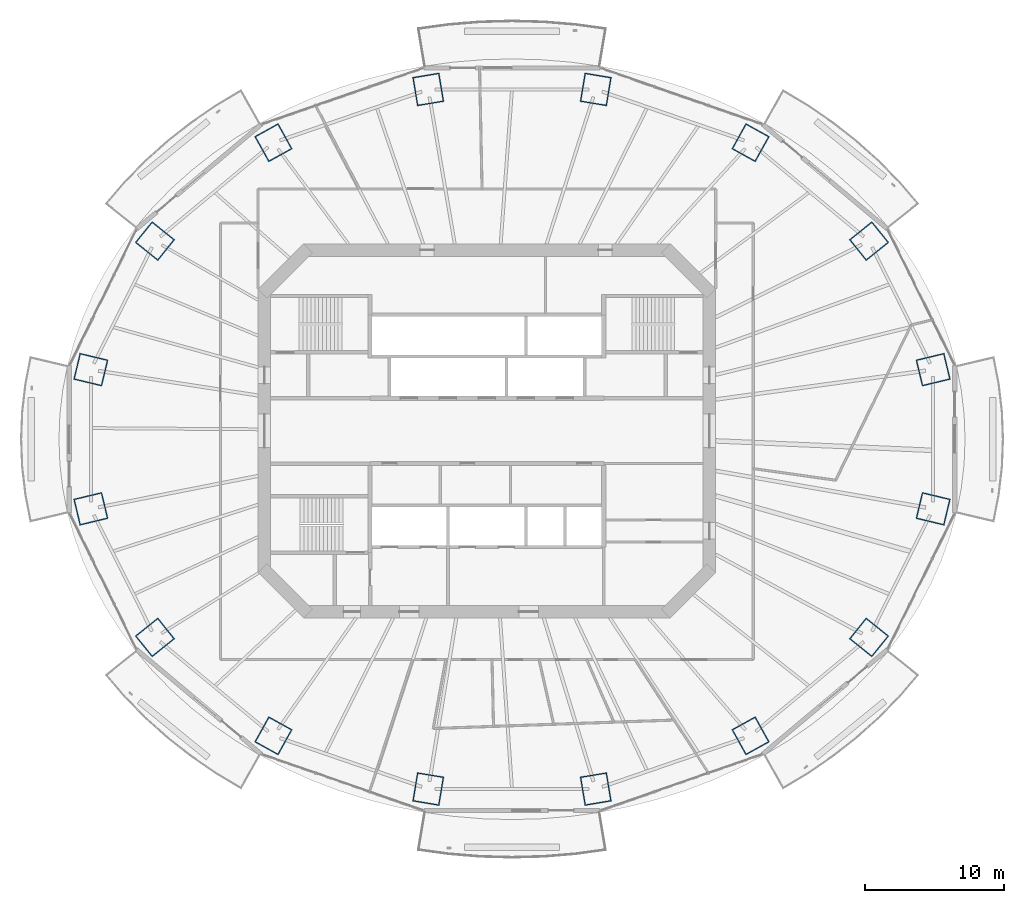
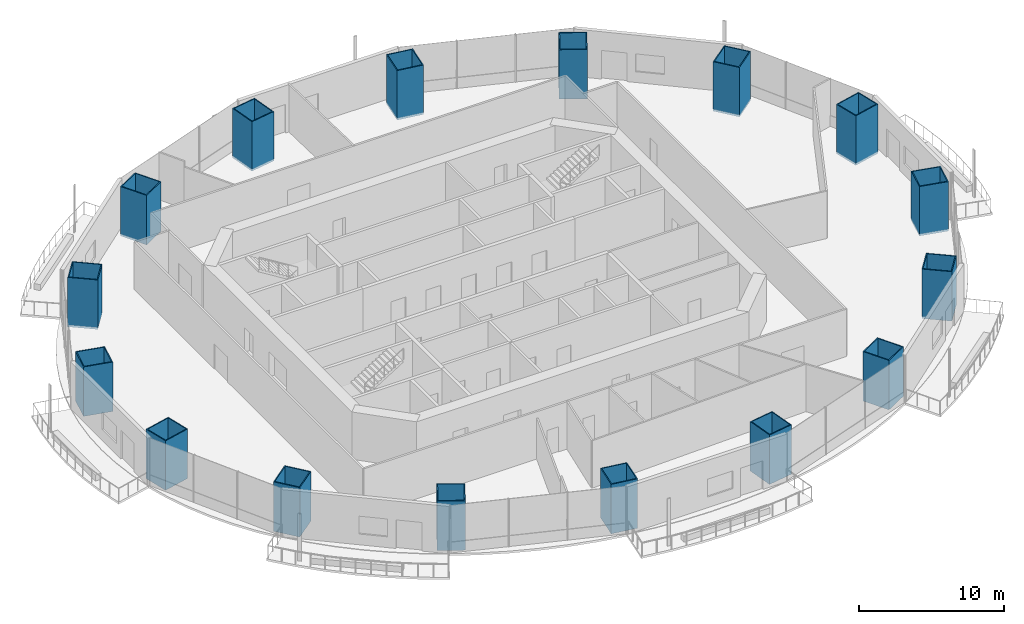
# One storey, part 1 of 20: 16 columns.
"""IFC4 building model written with IfcOpenShell, lengths in metres."""

from ifc_helpers import new_model, si_unit, direction, frame, origin, origin_2d, place, context, subcontext, project, spatial, rectangle, hollow_rectangle, extrude, material, material_profile, profile_set, type_object, element, save


model = new_model("IFC4")

# Units and contexts
model_context = context("Model", 3, precision=1e-05, world=origin(), true_north=direction((0.0, 1.0)))
body_context = subcontext(model_context, "Body", "Model", "MODEL_VIEW")
ifc_project = project(units=[si_unit("LENGTHUNIT", "METRE"), si_unit("AREAUNIT", "SQUARE_METRE"), si_unit("VOLUMEUNIT", "CUBIC_METRE"), si_unit("PLANEANGLEUNIT", "RADIAN"), si_unit("MASSUNIT", "GRAM", prefix="KILO")], contexts=[model_context])

# Site, building, storey
site_placement = place(None, origin())
site = spatial("IfcSite", under=ifc_project, at=site_placement, CompositionType="ELEMENT")
building_placement = place(site_placement, origin())
building = spatial("IfcBuilding", under=site, at=building_placement, Name="Marenthal Gate Tower", CompositionType="ELEMENT")
storey_placement = place(building_placement, frame((0.0, 0.0, 181.800048828125)))
storey = spatial("IfcBuildingStorey", under=building, at=storey_placement, Name="L39", CompositionType="ELEMENT", Elevation=181.800048828125)

# Columns
ifc_material_1 = material(Name="Steel S460", Category="steel")
ifc_material_profile_1 = material_profile(ifc_material_1, hollow_rectangle(XDim=1.949951171875, YDim=2.10009765625, WallThickness=0.074951171875, at=origin_2d()), Name="CFT BOX 2100X1950X75")
ifc_material_2 = material(Name="Concrete 70 MPa", Category="concrete")
ifc_material_profile_2 = material_profile(ifc_material_2, rectangle(XDim=1.800048828125, YDim=1.949951171875, at=origin_2d()), Name="CFT BOX 2100X1950X75 INFILL")
ifc_profile_set = profile_set([ifc_material_profile_1, ifc_material_profile_2], Name="Steel S460 shell, Concrete 70 MPa infill")
column_type = type_object("IfcColumnType", Name="CFT BOX 2100X1950X75", PredefinedType="COLUMN", material=ifc_profile_set)
for number, where, z_axis, x_axis, name in (
    (1, (32.083740234375, 4.4033203125, -0.179931640625), (0.0, 0.0, 1.0), (0.232898858995, -0.9725009622, 0.0), "COL-L39-01"),
    (2, (27.473388671875, 13.648193359375, -0.179931640625), (0.0, 0.0, 1.0), (0.626814619642, -0.779168423772, 0.0), "COL-L39-02"),
    (3, (18.954345703125, 20.723876953125, -0.179931640625), (0.0, 0.0, 1.0), (0.874370823198, -0.485258347213, 0.0), "COL-L39-03"),
    (4, (7.82373046875, 24.55322265625, -0.179931640625), (0.0, 0.0, 1.0), (0.986625414828, -0.16300395951, 0.0), "COL-L39-04"),
    (5, (-4.223876953125, 24.55322265625, -0.179931640625), (0.0, 0.0, 1.0), (0.986625414828, 0.16300395951, 0.0), "COL-L39-05"),
    (6, (-15.354248046875, 20.723876953125, -0.179931640625), (0.0, 0.0, 1.0), (0.874370823198, 0.485258347213, 0.0), "COL-L39-06"),
    (7, (-23.873291015625, 13.648193359375, -0.179931640625), (0.0, 0.0, 1.0), (0.626814619642, 0.779168423772, 0.0), "COL-L39-07"),
    (8, (-28.483642578125, 4.4033203125, -0.179931640625), (0.0, 0.0, 1.0), (0.232898858995, 0.9725009622, 0.0), "COL-L39-08"),
    (9, (-28.483642578125, -5.603271484375, -0.179931640625), (0.0, 0.0, 1.0), (-0.232898858995, 0.9725009622, 0.0), "COL-L39-09"),
    (10, (-23.873291015625, -14.84814453125, -0.179931640625), (0.0, 0.0, 1.0), (-0.626814619642, 0.779168423772, 0.0), "COL-L39-10"),
    (11, (-15.354248046875, -21.923828125, -0.179931640625), (0.0, 0.0, 1.0), (-0.874370823198, 0.485258347213, 0.0), "COL-L39-11"),
    (12, (-4.223876953125, -25.753173828125, -0.179931640625), (0.0, 0.0, 1.0), (-0.986625414828, 0.16300395951, 0.0), "COL-L39-12"),
    (13, (7.82373046875, -25.753173828125, -0.179931640625), (0.0, 0.0, 1.0), (-0.986625414828, -0.16300395951, 0.0), "COL-L39-13"),
    (14, (18.954345703125, -21.923828125, -0.179931640625), (0.0, 0.0, 1.0), (-0.874370823198, -0.485258347213, 0.0), "COL-L39-14"),
    (15, (27.473388671875, -14.84814453125, -0.179931640625), (0.0, 0.0, 1.0), (-0.626814619642, -0.779168423772, 0.0), "COL-L39-15"),
    (16, (32.083740234375, -5.603271484375, -0.179931640625), (0.0, 0.0, 1.0), (-0.232898858995, -0.9725009622, 0.0), "COL-L39-16"),
):
    element("IfcColumn", number, at=place(storey_placement, frame(where, z_axis=z_axis, x_axis=x_axis)), inside=storey, type_object=column_type, Name=name, PredefinedType="COLUMN", context=body_context, shape_type="SweptSolid", body=[
        extrude(hollow_rectangle(XDim=1.949951171875, YDim=2.10009765625, WallThickness=0.074951171875, at=origin_2d()), origin(), (0.0, 0.0, 1.0), 4.14990234375),
    ])

save(model, "model.ifc")
